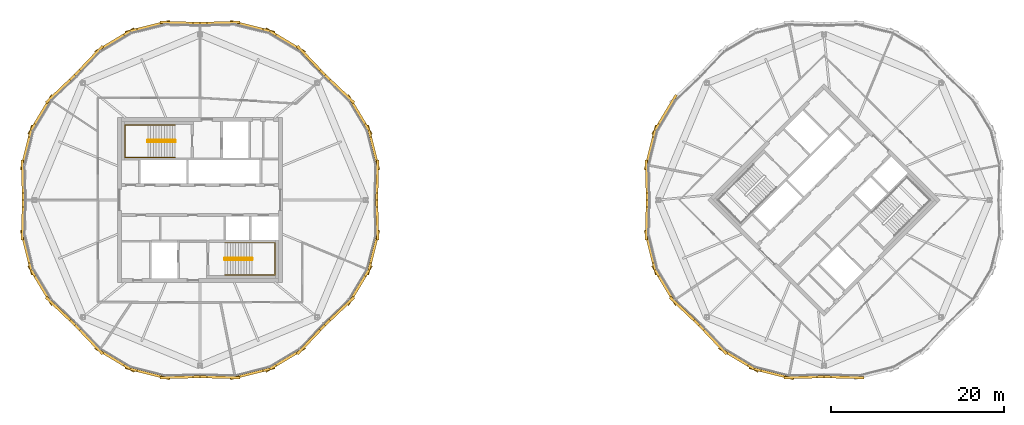
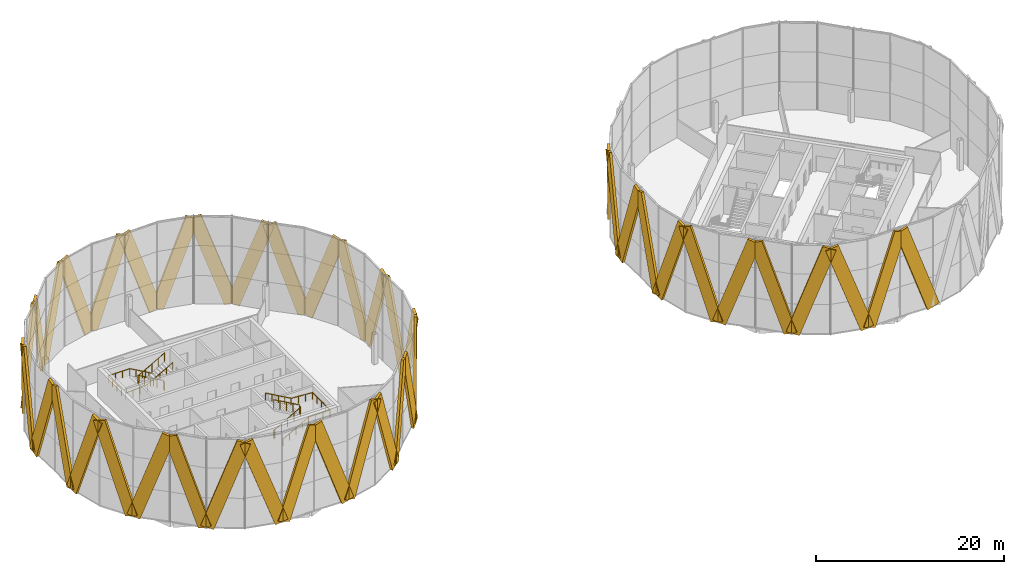
# One storey, part 21 of 22: 44 coverings, 4 railings.
"""IFC4 building model written with IfcOpenShell, lengths in metres."""

from ifc_helpers import new_model, si_unit, direction, frame, origin, origin_2d, place, context, subcontext, project, spatial, rectangle, circle, extrude, material, material_profile, profile_set, type_object, element, save


model = new_model("IFC4")

# Units and contexts
model_context = context("Model", 3, precision=1e-05, world=origin(), true_north=direction((0.0, 1.0)))
body_context = subcontext(model_context, "Body", "Model", "MODEL_VIEW")
ifc_project = project(units=[si_unit("LENGTHUNIT", "METRE"), si_unit("AREAUNIT", "SQUARE_METRE"), si_unit("VOLUMEUNIT", "CUBIC_METRE"), si_unit("PLANEANGLEUNIT", "RADIAN"), si_unit("MASSUNIT", "GRAM", prefix="KILO")], contexts=[model_context])

# Site, building, storey
site_placement = place(None, origin())
site = spatial("IfcSite", under=ifc_project, at=site_placement, CompositionType="ELEMENT")
building_placement = place(site_placement, origin())
building = spatial("IfcBuilding", under=site, at=building_placement, Name="Ogive Gate Towers", CompositionType="ELEMENT")
storey_placement = place(building_placement, frame((0.0, 0.0, 228.89990234375)))
storey = spatial("IfcBuildingStorey", under=building, at=storey_placement, Name="L54", CompositionType="ELEMENT", Elevation=228.89990234375)

# Coverings
ifc_material_1 = material(Name="Pale metal aluminium", Category="aluminium")
ifc_material_profile = material_profile(ifc_material_1, rectangle(XDim=0.300048828125, YDim=1.5, at=origin_2d()), Name="1500 x 300 pale metal aluminium")
ifc_profile_set = profile_set([ifc_material_profile], Name="Pale metal aluminium")
covering_type = type_object("IfcCoveringType", Name="Facade fin 1500 x 300", PredefinedType="CLADDING", material=ifc_profile_set)
covering_1_placement = place(storey_placement, frame((-15.516845703125, 3.928955078125, -0.004150390625), z_axis=(-0.008596738117, -0.327444355965, 0.944831355238), x_axis=(0.99965554068, -0.026244999292, 0.0)))
element("IfcCovering", 1, at=covering_1_placement, inside=storey, type_object=covering_type, Name="Facade fin", PredefinedType="CLADDING", context=body_context, shape_type="SweptSolid", body=[
    extrude(rectangle(XDim=0.300048828125, YDim=1.5, at=origin_2d()), origin(), (0.0, 0.0, 1.0), 11.75732421875),
])
for number, where, z_axis, x_axis, name in (
    (2, (-15.542724609375, 4.160888671875, -0.0009765625), (-0.080630212116, 0.321960772382, 0.943313325434), (-0.970043156168, -0.24293265563, 0.0), "Facade fin"),
    (3, (-18.59228515625, 11.523193359375, -0.0009765625), (0.170637335239, -0.284665226293, 0.943317872598), (0.857707929439, 0.514137246052, 0.0), "Facade fin"),
):
    element("IfcCovering", number, at=place(storey_placement, frame(where, z_axis=z_axis, x_axis=x_axis)), inside=storey, type_object=covering_type, Name=name, PredefinedType="CLADDING", context=body_context, shape_type="SweptSolid", body=[
        extrude(rectangle(XDim=0.300048828125, YDim=1.5, at=origin_2d()), origin(), (0.0, 0.0, 1.0), 11.76953125),
    ])
for number, where, z_axis, x_axis, name in (
    (4, (-18.738037109375, 11.70556640625, -0.004150390625), (-0.237614382414, 0.225466832496, 0.944830203113), (-0.688321168334, -0.725406071951, 0.0), "Facade fin"),
    (5, (-24.29443359375, 17.261962890625, -0.004150390625), (0.225466832496, -0.237614382414, 0.944830203113), (0.725406071951, 0.688321168334, 0.0), "Facade fin"),
):
    element("IfcCovering", number, at=place(storey_placement, frame(where, z_axis=z_axis, x_axis=x_axis)), inside=storey, type_object=covering_type, Name=name, PredefinedType="CLADDING", context=body_context, shape_type="SweptSolid", body=[
        extrude(rectangle(XDim=0.300048828125, YDim=1.5, at=origin_2d()), origin(), (0.0, 0.0, 1.0), 11.75732421875),
    ])
for number, where, z_axis, x_axis, name in (
    (6, (-24.476806640625, 17.40771484375, -0.0009765625), (-0.284665226293, 0.170637335239, 0.943317872598), (-0.514137246052, -0.857707929439, 0.0), "Facade fin"),
    (7, (-31.839111328125, 20.457275390625, -0.0009765625), (0.321960772382, -0.080630212116, 0.943313325434), (0.24293265563, 0.970043156168, 0.0), "Facade fin"),
):
    element("IfcCovering", number, at=place(storey_placement, frame(where, z_axis=z_axis, x_axis=x_axis)), inside=storey, type_object=covering_type, Name=name, PredefinedType="CLADDING", context=body_context, shape_type="SweptSolid", body=[
        extrude(rectangle(XDim=0.300048828125, YDim=1.5, at=origin_2d()), origin(), (0.0, 0.0, 1.0), 11.76953125),
    ])
for number, where, z_axis, x_axis, name in (
    (8, (-32.071044921875, 20.483154296875, -0.004150390625), (-0.327444355965, -0.008596738117, 0.944831355238), (0.026244999292, -0.99965554068, 0.0), "Facade fin"),
    (9, (-39.928955078125, 20.483154296875, -0.004150390625), (0.327444355965, -0.008596738117, 0.944831355238), (0.026244999292, 0.99965554068, 0.0), "Facade fin"),
):
    element("IfcCovering", number, at=place(storey_placement, frame(where, z_axis=z_axis, x_axis=x_axis)), inside=storey, type_object=covering_type, Name=name, PredefinedType="CLADDING", context=body_context, shape_type="SweptSolid", body=[
        extrude(rectangle(XDim=0.300048828125, YDim=1.5, at=origin_2d()), origin(), (0.0, 0.0, 1.0), 11.75732421875),
    ])
for number, where, z_axis, x_axis, name in (
    (10, (-40.160888671875, 20.457275390625, -0.0009765625), (-0.321960772382, -0.080630212116, 0.943313325434), (0.24293265563, -0.970043156168, 0.0), "Facade fin"),
    (11, (-47.523193359375, 17.40771484375, -0.0009765625), (0.284665226293, 0.170637335239, 0.943317872598), (-0.514137246052, 0.857707929439, 0.0), "Facade fin"),
):
    element("IfcCovering", number, at=place(storey_placement, frame(where, z_axis=z_axis, x_axis=x_axis)), inside=storey, type_object=covering_type, Name=name, PredefinedType="CLADDING", context=body_context, shape_type="SweptSolid", body=[
        extrude(rectangle(XDim=0.300048828125, YDim=1.5, at=origin_2d()), origin(), (0.0, 0.0, 1.0), 11.76953125),
    ])
for number, where, z_axis, x_axis, name in (
    (12, (-47.70556640625, 17.261962890625, -0.004150390625), (-0.225466832496, -0.237614382414, 0.944830203113), (0.725406071951, -0.688321168334, 0.0), "Facade fin"),
    (13, (-53.261962890625, 11.70556640625, -0.004150390625), (0.237614382414, 0.225466832496, 0.944830203113), (-0.688321168334, 0.725406071951, 0.0), "Facade fin"),
):
    element("IfcCovering", number, at=place(storey_placement, frame(where, z_axis=z_axis, x_axis=x_axis)), inside=storey, type_object=covering_type, Name=name, PredefinedType="CLADDING", context=body_context, shape_type="SweptSolid", body=[
        extrude(rectangle(XDim=0.300048828125, YDim=1.5, at=origin_2d()), origin(), (0.0, 0.0, 1.0), 11.75732421875),
    ])
for number, where, z_axis, x_axis, name in (
    (14, (-53.40771484375, 11.523193359375, -0.0009765625), (-0.170637335239, -0.284665226293, 0.943317872598), (0.857707929439, -0.514137246052, 0.0), "Facade fin"),
    (15, (-56.457275390625, 4.160888671875, -0.0009765625), (0.080630212116, 0.321960772382, 0.943313325434), (-0.970043156168, 0.24293265563, 0.0), "Facade fin"),
):
    element("IfcCovering", number, at=place(storey_placement, frame(where, z_axis=z_axis, x_axis=x_axis)), inside=storey, type_object=covering_type, Name=name, PredefinedType="CLADDING", context=body_context, shape_type="SweptSolid", body=[
        extrude(rectangle(XDim=0.300048828125, YDim=1.5, at=origin_2d()), origin(), (0.0, 0.0, 1.0), 11.76953125),
    ])
for number, where, z_axis, x_axis, name in (
    (16, (-56.483154296875, 3.928955078125, -0.004150390625), (0.008596738117, -0.327444355965, 0.944831355238), (0.99965554068, 0.026244999292, 0.0), "Facade fin"),
    (17, (-56.483154296875, -3.928955078125, -0.004150390625), (0.008596738117, 0.327444355965, 0.944831355238), (-0.99965554068, 0.026244999292, 0.0), "Facade fin"),
):
    element("IfcCovering", number, at=place(storey_placement, frame(where, z_axis=z_axis, x_axis=x_axis)), inside=storey, type_object=covering_type, Name=name, PredefinedType="CLADDING", context=body_context, shape_type="SweptSolid", body=[
        extrude(rectangle(XDim=0.300048828125, YDim=1.5, at=origin_2d()), origin(), (0.0, 0.0, 1.0), 11.75732421875),
    ])
for number, where, z_axis, x_axis, name in (
    (18, (-56.457275390625, -4.160888671875, -0.0009765625), (0.080630212116, -0.321960772382, 0.943313325434), (0.970043156168, 0.24293265563, 0.0), "Facade fin"),
    (19, (-53.40771484375, -11.523193359375, -0.0009765625), (-0.170637335239, 0.284665226293, 0.943317872598), (-0.857707929439, -0.514137246052, 0.0), "Facade fin"),
):
    element("IfcCovering", number, at=place(storey_placement, frame(where, z_axis=z_axis, x_axis=x_axis)), inside=storey, type_object=covering_type, Name=name, PredefinedType="CLADDING", context=body_context, shape_type="SweptSolid", body=[
        extrude(rectangle(XDim=0.300048828125, YDim=1.5, at=origin_2d()), origin(), (0.0, 0.0, 1.0), 11.76953125),
    ])
for number, where, z_axis, x_axis, name in (
    (20, (-53.261962890625, -11.70556640625, -0.004150390625), (0.237614382414, -0.225466832496, 0.944830203113), (0.688321168334, 0.725406071951, 0.0), "Facade fin"),
    (21, (-47.70556640625, -17.261962890625, -0.004150390625), (-0.225466832496, 0.237614382414, 0.944830203113), (-0.725406071951, -0.688321168334, 0.0), "Facade fin"),
):
    element("IfcCovering", number, at=place(storey_placement, frame(where, z_axis=z_axis, x_axis=x_axis)), inside=storey, type_object=covering_type, Name=name, PredefinedType="CLADDING", context=body_context, shape_type="SweptSolid", body=[
        extrude(rectangle(XDim=0.300048828125, YDim=1.5, at=origin_2d()), origin(), (0.0, 0.0, 1.0), 11.75732421875),
    ])
for number, where, z_axis, x_axis, name in (
    (22, (-47.523193359375, -17.40771484375, -0.0009765625), (0.284665226293, -0.170637335239, 0.943317872598), (0.514137246052, 0.857707929439, 0.0), "Facade fin"),
    (23, (-40.160888671875, -20.457275390625, -0.0009765625), (-0.321960772382, 0.080630212116, 0.943313325434), (-0.24293265563, -0.970043156168, 0.0), "Facade fin"),
):
    element("IfcCovering", number, at=place(storey_placement, frame(where, z_axis=z_axis, x_axis=x_axis)), inside=storey, type_object=covering_type, Name=name, PredefinedType="CLADDING", context=body_context, shape_type="SweptSolid", body=[
        extrude(rectangle(XDim=0.300048828125, YDim=1.5, at=origin_2d()), origin(), (0.0, 0.0, 1.0), 11.76953125),
    ])
for number, where, z_axis, x_axis, name in (
    (24, (-39.928955078125, -20.483154296875, -0.004150390625), (0.327444355965, 0.008596738117, 0.944831355238), (-0.026244999292, 0.99965554068, 0.0), "Facade fin"),
    (25, (-32.071044921875, -20.483154296875, -0.004150390625), (-0.327444355965, 0.008596738117, 0.944831355238), (-0.026244999292, -0.99965554068, 0.0), "Facade fin"),
):
    element("IfcCovering", number, at=place(storey_placement, frame(where, z_axis=z_axis, x_axis=x_axis)), inside=storey, type_object=covering_type, Name=name, PredefinedType="CLADDING", context=body_context, shape_type="SweptSolid", body=[
        extrude(rectangle(XDim=0.300048828125, YDim=1.5, at=origin_2d()), origin(), (0.0, 0.0, 1.0), 11.75732421875),
    ])
for number, where, z_axis, x_axis, name in (
    (26, (-31.839111328125, -20.457275390625, -0.0009765625), (0.321960772382, 0.080630212116, 0.943313325434), (-0.24293265563, 0.970043156168, 0.0), "Facade fin"),
    (27, (-24.476806640625, -17.40771484375, -0.0009765625), (-0.284665226293, -0.170637335239, 0.943317872598), (0.514137246052, -0.857707929439, 0.0), "Facade fin"),
):
    element("IfcCovering", number, at=place(storey_placement, frame(where, z_axis=z_axis, x_axis=x_axis)), inside=storey, type_object=covering_type, Name=name, PredefinedType="CLADDING", context=body_context, shape_type="SweptSolid", body=[
        extrude(rectangle(XDim=0.300048828125, YDim=1.5, at=origin_2d()), origin(), (0.0, 0.0, 1.0), 11.76953125),
    ])
for number, where, z_axis, x_axis, name in (
    (28, (-24.29443359375, -17.261962890625, -0.004150390625), (0.225466832496, 0.237614382414, 0.944830203113), (-0.725406071951, 0.688321168334, 0.0), "Facade fin"),
    (29, (-18.738037109375, -11.70556640625, -0.004150390625), (-0.237614382414, -0.225466832496, 0.944830203113), (0.688321168334, -0.725406071951, 0.0), "Facade fin"),
):
    element("IfcCovering", number, at=place(storey_placement, frame(where, z_axis=z_axis, x_axis=x_axis)), inside=storey, type_object=covering_type, Name=name, PredefinedType="CLADDING", context=body_context, shape_type="SweptSolid", body=[
        extrude(rectangle(XDim=0.300048828125, YDim=1.5, at=origin_2d()), origin(), (0.0, 0.0, 1.0), 11.75732421875),
    ])
for number, where, z_axis, x_axis, name in (
    (30, (-18.59228515625, -11.523193359375, -0.0009765625), (0.170637335239, 0.284665226293, 0.943317872598), (-0.857707929439, 0.514137246052, 0.0), "Facade fin"),
    (31, (-15.542724609375, -4.160888671875, -0.0009765625), (-0.080630212116, -0.321960772382, 0.943313325434), (0.970043156168, -0.24293265563, 0.0), "Facade fin"),
):
    element("IfcCovering", number, at=place(storey_placement, frame(where, z_axis=z_axis, x_axis=x_axis)), inside=storey, type_object=covering_type, Name=name, PredefinedType="CLADDING", context=body_context, shape_type="SweptSolid", body=[
        extrude(rectangle(XDim=0.300048828125, YDim=1.5, at=origin_2d()), origin(), (0.0, 0.0, 1.0), 11.76953125),
    ])
covering_2_placement = place(storey_placement, frame((-15.516845703125, -3.928955078125, -0.004150390625), z_axis=(-0.008596738117, 0.327444355965, 0.944831355238), x_axis=(-0.99965554068, -0.026244999292, 0.0)))
element("IfcCovering", 32, at=covering_2_placement, inside=storey, type_object=covering_type, Name="Facade fin", PredefinedType="CLADDING", context=body_context, shape_type="SweptSolid", body=[
    extrude(rectangle(XDim=0.300048828125, YDim=1.5, at=origin_2d()), origin(), (0.0, 0.0, 1.0), 11.75732421875),
])
for number, where, z_axis, x_axis, name in (
    (33, (18.59228515625, 11.523193359375, -0.0009765625), (-0.170637335239, -0.284665226293, 0.943317872598), (0.857707929439, -0.514137246052, 0.0), "Facade fin"),
    (34, (15.542724609375, 4.160888671875, -0.0009765625), (0.080630212116, 0.321960772382, 0.943313325434), (-0.970043156168, 0.24293265563, 0.0), "Facade fin"),
):
    element("IfcCovering", number, at=place(storey_placement, frame(where, z_axis=z_axis, x_axis=x_axis)), inside=storey, type_object=covering_type, Name=name, PredefinedType="CLADDING", context=body_context, shape_type="SweptSolid", body=[
        extrude(rectangle(XDim=0.300048828125, YDim=1.5, at=origin_2d()), origin(), (0.0, 0.0, 1.0), 11.76953125),
    ])
for number, where, z_axis, x_axis, name in (
    (35, (15.516845703125, 3.928955078125, -0.004150390625), (0.008596738117, -0.327444355965, 0.944831355238), (0.99965554068, 0.026244999292, 0.0), "Facade fin"),
    (36, (15.516845703125, -3.928955078125, -0.004150390625), (0.008596738117, 0.327444355965, 0.944831355238), (-0.99965554068, 0.026244999292, 0.0), "Facade fin"),
):
    element("IfcCovering", number, at=place(storey_placement, frame(where, z_axis=z_axis, x_axis=x_axis)), inside=storey, type_object=covering_type, Name=name, PredefinedType="CLADDING", context=body_context, shape_type="SweptSolid", body=[
        extrude(rectangle(XDim=0.300048828125, YDim=1.5, at=origin_2d()), origin(), (0.0, 0.0, 1.0), 11.75732421875),
    ])
for number, where, z_axis, x_axis, name in (
    (37, (15.542724609375, -4.160888671875, -0.0009765625), (0.080630212116, -0.321960772382, 0.943313325434), (0.970043156168, 0.24293265563, 0.0), "Facade fin"),
    (38, (18.59228515625, -11.523193359375, -0.0009765625), (-0.170637335239, 0.284665226293, 0.943317872598), (-0.857707929439, -0.514137246052, 0.0), "Facade fin"),
):
    element("IfcCovering", number, at=place(storey_placement, frame(where, z_axis=z_axis, x_axis=x_axis)), inside=storey, type_object=covering_type, Name=name, PredefinedType="CLADDING", context=body_context, shape_type="SweptSolid", body=[
        extrude(rectangle(XDim=0.300048828125, YDim=1.5, at=origin_2d()), origin(), (0.0, 0.0, 1.0), 11.76953125),
    ])
for number, where, z_axis, x_axis, name in (
    (39, (18.738037109375, -11.70556640625, -0.004150390625), (0.237614382414, -0.225466832496, 0.944830203113), (0.688321168334, 0.725406071951, 0.0), "Facade fin"),
    (40, (24.29443359375, -17.261962890625, -0.004150390625), (-0.225466832496, 0.237614382414, 0.944830203113), (-0.725406071951, -0.688321168334, 0.0), "Facade fin"),
):
    element("IfcCovering", number, at=place(storey_placement, frame(where, z_axis=z_axis, x_axis=x_axis)), inside=storey, type_object=covering_type, Name=name, PredefinedType="CLADDING", context=body_context, shape_type="SweptSolid", body=[
        extrude(rectangle(XDim=0.300048828125, YDim=1.5, at=origin_2d()), origin(), (0.0, 0.0, 1.0), 11.75732421875),
    ])
for number, where, z_axis, x_axis, name in (
    (41, (24.476806640625, -17.40771484375, -0.0009765625), (0.284665226293, -0.170637335239, 0.943317872598), (0.514137246052, 0.857707929439, 0.0), "Facade fin"),
    (42, (31.839111328125, -20.457275390625, -0.0009765625), (-0.321960772382, 0.080630212116, 0.943313325434), (-0.24293265563, -0.970043156168, 0.0), "Facade fin"),
):
    element("IfcCovering", number, at=place(storey_placement, frame(where, z_axis=z_axis, x_axis=x_axis)), inside=storey, type_object=covering_type, Name=name, PredefinedType="CLADDING", context=body_context, shape_type="SweptSolid", body=[
        extrude(rectangle(XDim=0.300048828125, YDim=1.5, at=origin_2d()), origin(), (0.0, 0.0, 1.0), 11.76953125),
    ])
for number, where, z_axis, x_axis, name in (
    (43, (32.071044921875, -20.483154296875, -0.004150390625), (0.327444355965, 0.008596738117, 0.944831355238), (-0.026244999292, 0.99965554068, 0.0), "Facade fin"),
    (44, (39.928955078125, -20.483154296875, -0.004150390625), (-0.327444355965, 0.008596738117, 0.944831355238), (-0.026244999292, -0.99965554068, 0.0), "Facade fin"),
):
    element("IfcCovering", number, at=place(storey_placement, frame(where, z_axis=z_axis, x_axis=x_axis)), inside=storey, type_object=covering_type, Name=name, PredefinedType="CLADDING", context=body_context, shape_type="SweptSolid", body=[
        extrude(rectangle(XDim=0.300048828125, YDim=1.5, at=origin_2d()), origin(), (0.0, 0.0, 1.0), 11.75732421875),
    ])

# Railings
ifc_material_2 = material(Name="Stainless steel", Category="steel")
railing_type_1 = type_object("IfcRailingType", Name="Stair guard 1100", PredefinedType="GUARDRAIL", material=ifc_material_2)
railing_1_placement = place(storey_placement, frame((-38.81494140625, 6.860107421875, 0.0)))
element("IfcRailing", 45, at=railing_1_placement, inside=storey, type_object=railing_type_1, Name="L54 ST1 stair guard 1", PredefinedType="GUARDRAIL", context=body_context, shape_type="SweptSolid", body=[
    extrude(circle(Radius=0.02392578125, at=origin_2d()), frame((0.0, 0.0, 1.076171875), z_axis=(0.0, -1.0, 0.0), x_axis=(1.0, 0.0, 0.0)), (0.0, 0.0, 1.0), 0.14501953125),
    extrude(circle(Radius=0.02392578125, at=origin_2d()), frame((0.0, -0.14501953125, 1.076171875), z_axis=(-0.186567429962, 0.726247849316, 0.661631812598), x_axis=(-0.968551454522, -0.24881334358, 0.0)), (0.0, 0.0, 1.0), 0.268310546875),
    extrude(circle(Radius=0.02392578125, at=origin_2d()), frame((-0.050048828125, 0.0498046875, 1.25341796875), z_axis=(-0.870572935281, 0.0, 0.492039393094), x_axis=(0.0, -1.0, 0.0)), (0.0, 0.0, 1.0), 3.602783203125),
    extrude(circle(Radius=0.02392578125, at=origin_2d()), frame((-3.1865234375, 0.0498046875, 3.0263671875), z_axis=(-0.707106781187, -0.707106781187, 0.0), x_axis=(0.707106781187, -0.707106781187, 0.0)), (0.0, 0.0, 1.0), 0.0703125),
    extrude(circle(Radius=0.02392578125, at=origin_2d()), frame((-3.236328125, 0.0, 3.0263671875), z_axis=(0.0, -1.0, 0.0), x_axis=(1.0, 0.0, 0.0)), (0.0, 0.0, 1.0), 0.14501953125),
    extrude(circle(Radius=0.02392578125, at=origin_2d()), frame((-3.236328125, -0.14501953125, 3.0263671875), z_axis=(0.261041864531, -0.262321481514, 0.929001929653), x_axis=(0.708833529934, 0.705375805398, 0.0)), (0.0, 0.0, 1.0), 0.190673828125),
    extrude(circle(Radius=0.02392578125, at=origin_2d()), frame((-3.1865234375, -0.195068359375, 3.20361328125), z_axis=(0.870572935281, 0.0, 0.492039393094), x_axis=(0.0, 1.0, 0.0)), (0.0, 0.0, 1.0), 3.602783203125),
    extrude(circle(Radius=0.02099609375, at=origin_2d()), origin(), (0.0, 0.0, 1.0), 1.052001953125),
    extrude(circle(Radius=0.02099609375, at=origin_2d()), frame((0.0, -0.14501953125, 0.0)), (0.0, 0.0, 1.0), 1.052001953125),
    extrude(circle(Radius=0.02099609375, at=origin_2d()), frame((-0.050048828125, 0.0498046875, 0.177490234375)), (0.0, 0.0, 1.0), 1.052001953125),
    extrude(circle(Radius=0.02099609375, at=origin_2d()), frame((-0.834228515625, 0.0498046875, 0.62060546875)), (0.0, 0.0, 1.0), 1.052001953125),
    extrude(circle(Radius=0.02099609375, at=origin_2d()), frame((-1.6181640625, 0.0498046875, 1.06396484375)), (0.0, 0.0, 1.0), 1.052001953125),
    extrude(circle(Radius=0.02099609375, at=origin_2d()), frame((-2.40234375, 0.0498046875, 1.507080078125)), (0.0, 0.0, 1.0), 1.052001953125),
    extrude(circle(Radius=0.02099609375, at=origin_2d()), frame((-3.1865234375, 0.0498046875, 1.9501953125)), (0.0, 0.0, 1.0), 1.052001953125),
    extrude(circle(Radius=0.02099609375, at=origin_2d()), frame((-3.236328125, 0.0, 1.9501953125)), (0.0, 0.0, 1.0), 1.052001953125),
    extrude(circle(Radius=0.02099609375, at=origin_2d()), frame((-3.236328125, -0.14501953125, 1.9501953125)), (0.0, 0.0, 1.0), 1.052001953125),
    extrude(circle(Radius=0.02099609375, at=origin_2d()), frame((-3.1865234375, -0.195068359375, 2.12744140625)), (0.0, 0.0, 1.0), 1.052001953125),
    extrude(circle(Radius=0.02099609375, at=origin_2d()), frame((-2.40234375, -0.195068359375, 2.570556640625)), (0.0, 0.0, 1.0), 1.052001953125),
    extrude(circle(Radius=0.02099609375, at=origin_2d()), frame((-1.6181640625, -0.195068359375, 3.013671875)), (0.0, 0.0, 1.0), 1.052001953125),
    extrude(circle(Radius=0.02099609375, at=origin_2d()), frame((-0.834228515625, -0.195068359375, 3.45703125)), (0.0, 0.0, 1.0), 1.052001953125),
    extrude(circle(Radius=0.02099609375, at=origin_2d()), frame((-0.050048828125, -0.195068359375, 3.900146484375)), (0.0, 0.0, 1.0), 1.052001953125),
])
railing_2_placement = place(storey_placement, frame((-33.18505859375, -6.860107421875, 0.0)))
element("IfcRailing", 46, at=railing_2_placement, inside=storey, type_object=railing_type_1, Name="L54 ST2 stair guard 1", PredefinedType="GUARDRAIL", context=body_context, shape_type="SweptSolid", body=[
    extrude(circle(Radius=0.02392578125, at=origin_2d()), frame((0.0, 0.0, 1.076171875), z_axis=(0.0, 1.0, 0.0), x_axis=(-1.0, 0.0, 0.0)), (0.0, 0.0, 1.0), 0.14501953125),
    extrude(circle(Radius=0.02392578125, at=origin_2d()), frame((0.0, 0.14501953125, 1.076171875), z_axis=(0.186567429962, -0.726247849316, 0.661631812598), x_axis=(0.968551454522, 0.24881334358, 0.0)), (0.0, 0.0, 1.0), 0.268310546875),
    extrude(circle(Radius=0.02392578125, at=origin_2d()), frame((0.050048828125, -0.0498046875, 1.25341796875), z_axis=(0.870572935281, 0.0, 0.492039393094), x_axis=(0.0, 1.0, 0.0)), (0.0, 0.0, 1.0), 3.602783203125),
    extrude(circle(Radius=0.02392578125, at=origin_2d()), frame((3.1865234375, -0.0498046875, 3.0263671875), z_axis=(0.707106781187, 0.707106781187, 0.0), x_axis=(-0.707106781187, 0.707106781187, 0.0)), (0.0, 0.0, 1.0), 0.0703125),
    extrude(circle(Radius=0.02392578125, at=origin_2d()), frame((3.236328125, 0.0, 3.0263671875), z_axis=(0.0, 1.0, 0.0), x_axis=(-1.0, 0.0, 0.0)), (0.0, 0.0, 1.0), 0.14501953125),
    extrude(circle(Radius=0.02392578125, at=origin_2d()), frame((3.236328125, 0.14501953125, 3.0263671875), z_axis=(-0.261041864531, 0.262321481514, 0.929001929653), x_axis=(-0.708833529934, -0.705375805398, 0.0)), (0.0, 0.0, 1.0), 0.190673828125),
    extrude(circle(Radius=0.02392578125, at=origin_2d()), frame((3.1865234375, 0.195068359375, 3.20361328125), z_axis=(-0.870572935281, 0.0, 0.492039393094), x_axis=(0.0, -1.0, 0.0)), (0.0, 0.0, 1.0), 3.602783203125),
    extrude(circle(Radius=0.02099609375, at=origin_2d()), origin(), (0.0, 0.0, 1.0), 1.052001953125),
    extrude(circle(Radius=0.02099609375, at=origin_2d()), frame((0.0, 0.14501953125, 0.0)), (0.0, 0.0, 1.0), 1.052001953125),
    extrude(circle(Radius=0.02099609375, at=origin_2d()), frame((0.050048828125, -0.0498046875, 0.177490234375)), (0.0, 0.0, 1.0), 1.052001953125),
    extrude(circle(Radius=0.02099609375, at=origin_2d()), frame((0.834228515625, -0.0498046875, 0.62060546875)), (0.0, 0.0, 1.0), 1.052001953125),
    extrude(circle(Radius=0.02099609375, at=origin_2d()), frame((1.6181640625, -0.0498046875, 1.06396484375)), (0.0, 0.0, 1.0), 1.052001953125),
    extrude(circle(Radius=0.02099609375, at=origin_2d()), frame((2.40234375, -0.0498046875, 1.507080078125)), (0.0, 0.0, 1.0), 1.052001953125),
    extrude(circle(Radius=0.02099609375, at=origin_2d()), frame((3.1865234375, -0.0498046875, 1.9501953125)), (0.0, 0.0, 1.0), 1.052001953125),
    extrude(circle(Radius=0.02099609375, at=origin_2d()), frame((3.236328125, 0.0, 1.9501953125)), (0.0, 0.0, 1.0), 1.052001953125),
    extrude(circle(Radius=0.02099609375, at=origin_2d()), frame((3.236328125, 0.14501953125, 1.9501953125)), (0.0, 0.0, 1.0), 1.052001953125),
    extrude(circle(Radius=0.02099609375, at=origin_2d()), frame((3.1865234375, 0.195068359375, 2.12744140625)), (0.0, 0.0, 1.0), 1.052001953125),
    extrude(circle(Radius=0.02099609375, at=origin_2d()), frame((2.40234375, 0.195068359375, 2.570556640625)), (0.0, 0.0, 1.0), 1.052001953125),
    extrude(circle(Radius=0.02099609375, at=origin_2d()), frame((1.6181640625, 0.195068359375, 3.013671875)), (0.0, 0.0, 1.0), 1.052001953125),
    extrude(circle(Radius=0.02099609375, at=origin_2d()), frame((0.834228515625, 0.195068359375, 3.45703125)), (0.0, 0.0, 1.0), 1.052001953125),
    extrude(circle(Radius=0.02099609375, at=origin_2d()), frame((0.050048828125, 0.195068359375, 3.900146484375)), (0.0, 0.0, 1.0), 1.052001953125),
])
railing_type_2 = type_object("IfcRailingType", Name="Stair handrail 900", PredefinedType="HANDRAIL", material=ifc_material_2)
railing_3_placement = place(storey_placement, frame((-38.864990234375, 8.64990234375, 0.177490234375)))
element("IfcRailing", 47, at=railing_3_placement, inside=storey, type_object=railing_type_2, Name="L54 ST1 stair handrail 1", PredefinedType="HANDRAIL", context=body_context, shape_type="SweptSolid", body=[
    extrude(circle(Radius=0.02392578125, at=origin_2d()), frame((0.0, 0.0, 0.8759765625), z_axis=(-0.870572935281, 0.0, 0.492039393094), x_axis=(0.0, -1.0, 0.0)), (0.0, 0.0, 1.0), 3.602783203125),
    extrude(circle(Radius=0.02392578125, at=origin_2d()), frame((-3.136474609375, 0.0, 2.6484375), z_axis=(-1.0, 0.0, 0.0), x_axis=(0.0, -1.0, 0.0)), (0.0, 0.0, 1.0), 2.6484375),
    extrude(circle(Radius=0.02392578125, at=origin_2d()), frame((-5.784912109375, 0.0, 2.6484375), z_axis=(0.0, -1.0, 0.0), x_axis=(1.0, 0.0, 0.0)), (0.0, 0.0, 1.0), 3.724853515625),
    extrude(circle(Radius=0.02392578125, at=origin_2d()), frame((-5.784912109375, -3.724853515625, 2.6484375), z_axis=(0.997768031817, 0.0, 0.066775404784), x_axis=(0.0, 1.0, 0.0)), (0.0, 0.0, 1.0), 2.654296875),
    extrude(circle(Radius=0.02392578125, at=origin_2d()), frame((-3.136474609375, -3.724853515625, 2.82568359375), z_axis=(0.870572935281, 0.0, 0.492039393094), x_axis=(0.0, 1.0, 0.0)), (0.0, 0.0, 1.0), 3.602783203125),
    extrude(circle(Radius=0.02099609375, at=origin_2d()), origin(), (0.0, 0.0, 1.0), 0.851806640625),
    extrude(circle(Radius=0.02099609375, at=origin_2d()), frame((-0.7841796875, 0.0, 0.443115234375)), (0.0, 0.0, 1.0), 0.851806640625),
    extrude(circle(Radius=0.02099609375, at=origin_2d()), frame((-1.568359375, 0.0, 0.88623046875)), (0.0, 0.0, 1.0), 0.851806640625),
    extrude(circle(Radius=0.02099609375, at=origin_2d()), frame((-2.352294921875, 0.0, 1.32958984375)), (0.0, 0.0, 1.0), 0.851806640625),
    extrude(circle(Radius=0.02099609375, at=origin_2d()), frame((-3.136474609375, 0.0, 1.772705078125)), (0.0, 0.0, 1.0), 0.851806640625),
    extrude(circle(Radius=0.02099609375, at=origin_2d()), frame((-4.019287109375, 0.0, 1.772705078125)), (0.0, 0.0, 1.0), 0.851806640625),
    extrude(circle(Radius=0.02099609375, at=origin_2d()), frame((-4.902099609375, 0.0, 1.772705078125)), (0.0, 0.0, 1.0), 0.851806640625),
    extrude(circle(Radius=0.02099609375, at=origin_2d()), frame((-5.784912109375, 0.0, 1.772705078125)), (0.0, 0.0, 1.0), 0.851806640625),
    extrude(circle(Radius=0.02099609375, at=origin_2d()), frame((-5.784912109375, -0.93115234375, 1.772705078125)), (0.0, 0.0, 1.0), 0.851806640625),
    extrude(circle(Radius=0.02099609375, at=origin_2d()), frame((-5.784912109375, -1.8623046875, 1.772705078125)), (0.0, 0.0, 1.0), 0.851806640625),
    extrude(circle(Radius=0.02099609375, at=origin_2d()), frame((-5.784912109375, -2.793701171875, 1.772705078125)), (0.0, 0.0, 1.0), 0.851806640625),
    extrude(circle(Radius=0.02099609375, at=origin_2d()), frame((-5.784912109375, -3.724853515625, 1.772705078125)), (0.0, 0.0, 1.0), 0.851806640625),
    extrude(circle(Radius=0.02099609375, at=origin_2d()), frame((-4.902099609375, -3.724853515625, 1.831787109375)), (0.0, 0.0, 1.0), 0.851806640625),
    extrude(circle(Radius=0.02099609375, at=origin_2d()), frame((-4.019287109375, -3.724853515625, 1.890869140625)), (0.0, 0.0, 1.0), 0.851806640625),
    extrude(circle(Radius=0.02099609375, at=origin_2d()), frame((-3.136474609375, -3.724853515625, 1.949951171875)), (0.0, 0.0, 1.0), 0.851806640625),
    extrude(circle(Radius=0.02099609375, at=origin_2d()), frame((-2.352294921875, -3.724853515625, 2.39306640625)), (0.0, 0.0, 1.0), 0.851806640625),
    extrude(circle(Radius=0.02099609375, at=origin_2d()), frame((-1.568359375, -3.724853515625, 2.83642578125)), (0.0, 0.0, 1.0), 0.851806640625),
    extrude(circle(Radius=0.02099609375, at=origin_2d()), frame((-0.7841796875, -3.724853515625, 3.279541015625)), (0.0, 0.0, 1.0), 0.851806640625),
    extrude(circle(Radius=0.02099609375, at=origin_2d()), frame((0.0, -3.724853515625, 3.72265625)), (0.0, 0.0, 1.0), 0.851806640625),
])
railing_4_placement = place(storey_placement, frame((-33.135009765625, -8.64990234375, 0.177490234375)))
element("IfcRailing", 48, at=railing_4_placement, inside=storey, type_object=railing_type_2, Name="L54 ST2 stair handrail 1", PredefinedType="HANDRAIL", context=body_context, shape_type="SweptSolid", body=[
    extrude(circle(Radius=0.02392578125, at=origin_2d()), frame((0.0, 0.0, 0.8759765625), z_axis=(0.870572935281, 0.0, 0.492039393094), x_axis=(0.0, 1.0, 0.0)), (0.0, 0.0, 1.0), 3.602783203125),
    extrude(circle(Radius=0.02392578125, at=origin_2d()), frame((3.136474609375, 0.0, 2.6484375), z_axis=(1.0, 0.0, 0.0), x_axis=(0.0, 1.0, 0.0)), (0.0, 0.0, 1.0), 2.6484375),
    extrude(circle(Radius=0.02392578125, at=origin_2d()), frame((5.784912109375, 0.0, 2.6484375), z_axis=(0.0, 1.0, 0.0), x_axis=(-1.0, 0.0, 0.0)), (0.0, 0.0, 1.0), 3.724853515625),
    extrude(circle(Radius=0.02392578125, at=origin_2d()), frame((5.784912109375, 3.724853515625, 2.6484375), z_axis=(-0.997768031817, 0.0, 0.066775404784), x_axis=(0.0, -1.0, 0.0)), (0.0, 0.0, 1.0), 2.654296875),
    extrude(circle(Radius=0.02392578125, at=origin_2d()), frame((3.136474609375, 3.724853515625, 2.82568359375), z_axis=(-0.870572935281, 0.0, 0.492039393094), x_axis=(0.0, -1.0, 0.0)), (0.0, 0.0, 1.0), 3.602783203125),
    extrude(circle(Radius=0.02099609375, at=origin_2d()), origin(), (0.0, 0.0, 1.0), 0.851806640625),
    extrude(circle(Radius=0.02099609375, at=origin_2d()), frame((0.7841796875, 0.0, 0.443115234375)), (0.0, 0.0, 1.0), 0.851806640625),
    extrude(circle(Radius=0.02099609375, at=origin_2d()), frame((1.568359375, 0.0, 0.88623046875)), (0.0, 0.0, 1.0), 0.851806640625),
    extrude(circle(Radius=0.02099609375, at=origin_2d()), frame((2.352294921875, 0.0, 1.32958984375)), (0.0, 0.0, 1.0), 0.851806640625),
    extrude(circle(Radius=0.02099609375, at=origin_2d()), frame((3.136474609375, 0.0, 1.772705078125)), (0.0, 0.0, 1.0), 0.851806640625),
    extrude(circle(Radius=0.02099609375, at=origin_2d()), frame((4.019287109375, 0.0, 1.772705078125)), (0.0, 0.0, 1.0), 0.851806640625),
    extrude(circle(Radius=0.02099609375, at=origin_2d()), frame((4.902099609375, 0.0, 1.772705078125)), (0.0, 0.0, 1.0), 0.851806640625),
    extrude(circle(Radius=0.02099609375, at=origin_2d()), frame((5.784912109375, 0.0, 1.772705078125)), (0.0, 0.0, 1.0), 0.851806640625),
    extrude(circle(Radius=0.02099609375, at=origin_2d()), frame((5.784912109375, 0.93115234375, 1.772705078125)), (0.0, 0.0, 1.0), 0.851806640625),
    extrude(circle(Radius=0.02099609375, at=origin_2d()), frame((5.784912109375, 1.8623046875, 1.772705078125)), (0.0, 0.0, 1.0), 0.851806640625),
    extrude(circle(Radius=0.02099609375, at=origin_2d()), frame((5.784912109375, 2.793701171875, 1.772705078125)), (0.0, 0.0, 1.0), 0.851806640625),
    extrude(circle(Radius=0.02099609375, at=origin_2d()), frame((5.784912109375, 3.724853515625, 1.772705078125)), (0.0, 0.0, 1.0), 0.851806640625),
    extrude(circle(Radius=0.02099609375, at=origin_2d()), frame((4.902099609375, 3.724853515625, 1.831787109375)), (0.0, 0.0, 1.0), 0.851806640625),
    extrude(circle(Radius=0.02099609375, at=origin_2d()), frame((4.019287109375, 3.724853515625, 1.890869140625)), (0.0, 0.0, 1.0), 0.851806640625),
    extrude(circle(Radius=0.02099609375, at=origin_2d()), frame((3.136474609375, 3.724853515625, 1.949951171875)), (0.0, 0.0, 1.0), 0.851806640625),
    extrude(circle(Radius=0.02099609375, at=origin_2d()), frame((2.352294921875, 3.724853515625, 2.39306640625)), (0.0, 0.0, 1.0), 0.851806640625),
    extrude(circle(Radius=0.02099609375, at=origin_2d()), frame((1.568359375, 3.724853515625, 2.83642578125)), (0.0, 0.0, 1.0), 0.851806640625),
    extrude(circle(Radius=0.02099609375, at=origin_2d()), frame((0.7841796875, 3.724853515625, 3.279541015625)), (0.0, 0.0, 1.0), 0.851806640625),
    extrude(circle(Radius=0.02099609375, at=origin_2d()), frame((0.0, 3.724853515625, 3.72265625)), (0.0, 0.0, 1.0), 0.851806640625),
])

save(model, "model.ifc")
